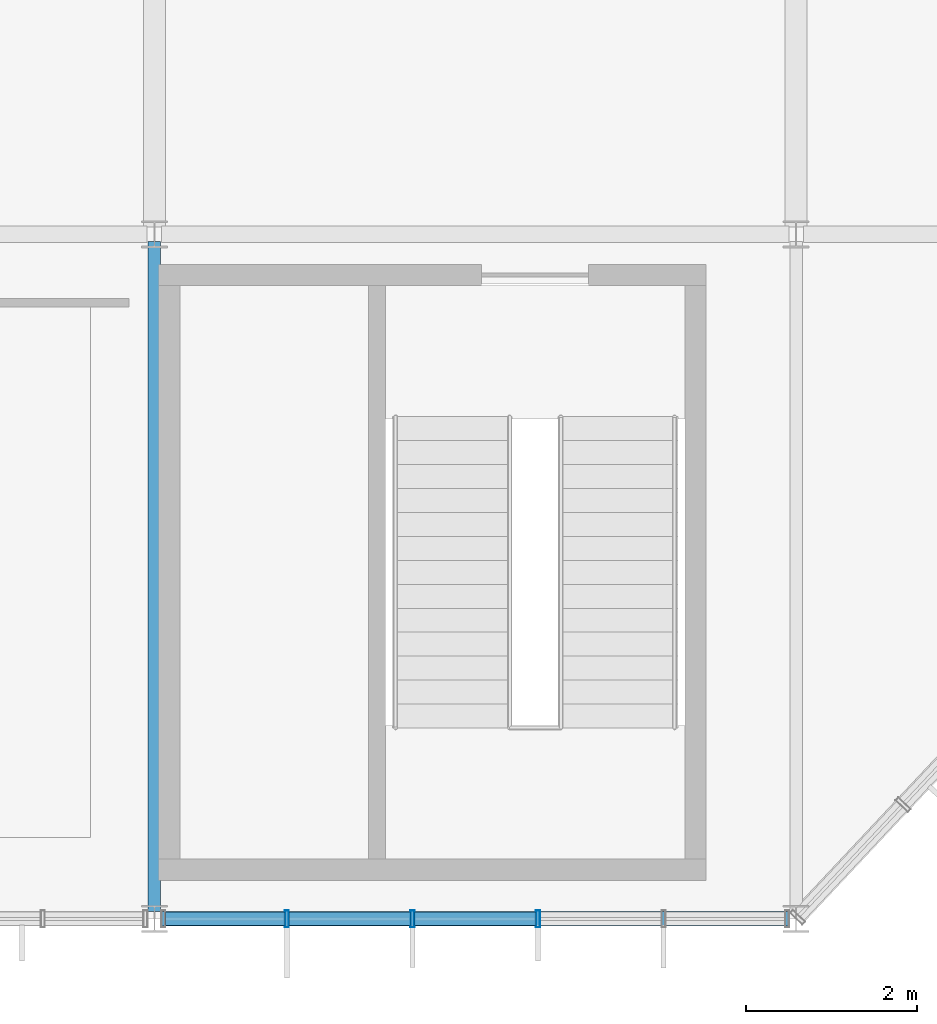
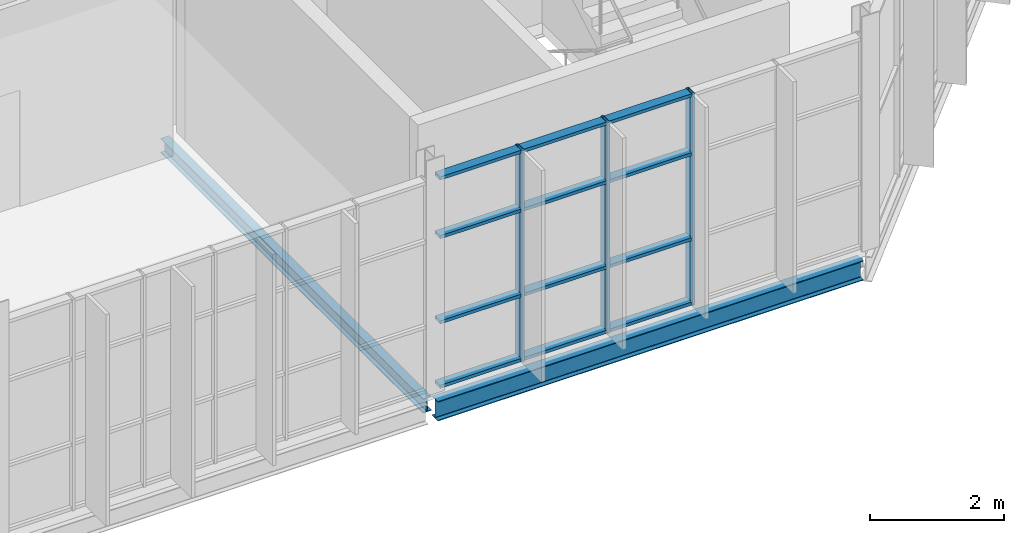
# One storey, part 58 of 324: 15 members, 2 beams, 1 element without a shape of its own.
"""IFC4 building model written with IfcOpenShell, lengths in metres."""

from ifc_helpers import new_model, si_unit, direction, frame, origin, origin_2d, place, context, subcontext, project, spatial, hollow_rectangle, i_section, extrude, material, layer, layer_set, material_profile, profile_set, type_object, element, aggregate, save


model = new_model("IFC4")

# Units and contexts
model_context = context("Model", 3, precision=1e-05, world=origin(), true_north=direction((0.0, 1.0)))
body_context = subcontext(model_context, "Body", "Model", "MODEL_VIEW")
ifc_project = project(units=[si_unit("LENGTHUNIT", "METRE"), si_unit("AREAUNIT", "SQUARE_METRE"), si_unit("VOLUMEUNIT", "CUBIC_METRE"), si_unit("PLANEANGLEUNIT", "RADIAN"), si_unit("MASSUNIT", "GRAM", prefix="KILO")], contexts=[model_context])

# Site, building, storey
site_placement = place(None, origin())
site = spatial("IfcSite", under=ifc_project, at=site_placement, CompositionType="ELEMENT")
building_placement = place(site_placement, origin())
building = spatial("IfcBuilding", under=site, at=building_placement, Name="Solvenia Promenade Tram Depot", CompositionType="ELEMENT")
storey_placement = place(building_placement, frame((0.0, 0.0, 4.5)))
storey = spatial("IfcBuildingStorey", under=building, at=storey_placement, Name="L01", CompositionType="ELEMENT", Elevation=4.5)

# Curtain wall, members
ifc_material_1 = material(Name="Anodized aluminium AW-6063 T6", Category="aluminium")
ifc_layer = layer(ifc_material_1, 0.179931640625, Name="Anodized aluminium AW-6063 T6", Category="aluminium")
ifc_layer_set = layer_set([ifc_layer], Name="Anodized aluminium AW-6063 T6")
curtain_wall_type = type_object("IfcCurtainWallType", Name="CW-Solar-1500", PredefinedType="NOTDEFINED", material=ifc_layer_set)
curtain_wall_placement = place(storey_placement, origin())
curtain_wall = element("IfcCurtainWall", 1, at=curtain_wall_placement, inside=storey, type_object=curtain_wall_type, Name="Curtain Wall CW-V4S-L01-10", PredefinedType="NOTDEFINED")
ifc_material_profile_1 = material_profile(ifc_material_1, hollow_rectangle(XDim=0.199951171875, YDim=0.048095703125, WallThickness=0.00390625, at=origin_2d()), Name="ALU-M3", Category="aluminium")
ifc_profile_set_1 = profile_set([ifc_material_profile_1], Name="Anodized aluminium AW-6063 T6")
member_type_1 = type_object("IfcMemberType", Name="CWM-Mullion-3", PredefinedType="MULLION", material=ifc_profile_set_1)
member_1_placement = place(storey_placement, frame((76.548095703125, 0.0, 0.0), z_axis=(0.0, 0.0, 1.0), x_axis=(0.0, 1.0, 0.0)))
member_1 = element("IfcMember", 2, at=member_1_placement, type_object=member_type_1, Name="CW-7 mullion 2", PredefinedType="MULLION", context=body_context, shape_type="SweptSolid", body=[
    extrude(hollow_rectangle(XDim=0.199951171875, YDim=0.048095703125, WallThickness=0.00390625, at=origin_2d()), origin(), (0.0, 0.0, 1.0), 3.85009765625),
])
member_2_placement = place(storey_placement, frame((78.01611328125, 0.0, 0.0), z_axis=(0.0, 0.0, 1.0), x_axis=(0.0, 1.0, 0.0)))
member_2 = element("IfcMember", 3, at=member_2_placement, type_object=member_type_1, Name="CW-7 mullion 3", PredefinedType="MULLION", context=body_context, shape_type="SweptSolid", body=[
    extrude(hollow_rectangle(XDim=0.199951171875, YDim=0.048095703125, WallThickness=0.00390625, at=origin_2d()), origin(), (0.0, 0.0, 1.0), 3.85009765625),
])
member_3_placement = place(storey_placement, frame((79.48388671875, 0.0, 0.0), z_axis=(0.0, 0.0, 1.0), x_axis=(0.0, 1.0, 0.0)))
member_3 = element("IfcMember", 4, at=member_3_placement, type_object=member_type_1, Name="CW-7 mullion 4", PredefinedType="MULLION", context=body_context, shape_type="SweptSolid", body=[
    extrude(hollow_rectangle(XDim=0.199951171875, YDim=0.048095703125, WallThickness=0.00390625, at=origin_2d()), origin(), (0.0, 0.0, 1.0), 3.85009765625),
])
ifc_material_profile_2 = material_profile(ifc_material_1, hollow_rectangle(XDim=0.159912109375, YDim=0.05810546875, WallThickness=0.00390625, at=origin_2d()), Name="ALU-T3", Category="aluminium")
ifc_profile_set_2 = profile_set([ifc_material_profile_2], Name="Anodized aluminium AW-6063 T6")
member_type_2 = type_object("IfcMemberType", Name="CWT-Transom-3", PredefinedType="USERDEFINED", material=ifc_profile_set_2)
member_4_placement = place(storey_placement, frame((75.1279296875, 0.0, 0.029052734375), z_axis=(1.0, 0.0, 0.0), x_axis=(0.0, 1.0, 0.0)))
member_4 = element("IfcMember", 5, at=member_4_placement, type_object=member_type_2, Name="CW-7 transom 1.1", ObjectType="TRANSOM", PredefinedType="USERDEFINED", context=body_context, shape_type="SweptSolid", body=[
    extrude(hollow_rectangle(XDim=0.159912109375, YDim=0.05810546875, WallThickness=0.00390625, at=origin_2d()), origin(), (0.0, 0.0, 1.0), 1.39599609375),
])
member_5_placement = place(storey_placement, frame((75.1279296875, 0.0, 1.199951171875), z_axis=(1.0, 0.0, 0.0), x_axis=(0.0, 1.0, 0.0)))
member_5 = element("IfcMember", 6, at=member_5_placement, type_object=member_type_2, Name="CW-7 transom 1.2", ObjectType="TRANSOM", PredefinedType="USERDEFINED", context=body_context, shape_type="SweptSolid", body=[
    extrude(hollow_rectangle(XDim=0.159912109375, YDim=0.05810546875, WallThickness=0.00390625, at=origin_2d()), origin(), (0.0, 0.0, 1.0), 1.39599609375),
])
member_6_placement = place(storey_placement, frame((75.1279296875, 0.0, 2.75), z_axis=(1.0, 0.0, 0.0), x_axis=(0.0, 1.0, 0.0)))
member_6 = element("IfcMember", 7, at=member_6_placement, type_object=member_type_2, Name="CW-7 transom 1.3", ObjectType="TRANSOM", PredefinedType="USERDEFINED", context=body_context, shape_type="SweptSolid", body=[
    extrude(hollow_rectangle(XDim=0.159912109375, YDim=0.05810546875, WallThickness=0.00390625, at=origin_2d()), origin(), (0.0, 0.0, 1.0), 1.39599609375),
])
member_7_placement = place(storey_placement, frame((75.1279296875, 0.0, 3.821044921875), z_axis=(1.0, 0.0, 0.0), x_axis=(0.0, 1.0, 0.0)))
member_7 = element("IfcMember", 8, at=member_7_placement, type_object=member_type_2, Name="CW-7 transom 1.4", ObjectType="TRANSOM", PredefinedType="USERDEFINED", context=body_context, shape_type="SweptSolid", body=[
    extrude(hollow_rectangle(XDim=0.159912109375, YDim=0.05810546875, WallThickness=0.00390625, at=origin_2d()), origin(), (0.0, 0.0, 1.0), 1.39599609375),
])
member_8_placement = place(storey_placement, frame((76.572021484375, 0.0, 0.029052734375), z_axis=(1.0, 0.0, 0.0), x_axis=(0.0, 1.0, 0.0)))
member_8 = element("IfcMember", 9, at=member_8_placement, type_object=member_type_2, Name="CW-7 transom 2.1", ObjectType="TRANSOM", PredefinedType="USERDEFINED", context=body_context, shape_type="SweptSolid", body=[
    extrude(hollow_rectangle(XDim=0.159912109375, YDim=0.05810546875, WallThickness=0.00390625, at=origin_2d()), origin(), (0.0, 0.0, 1.0), 1.419921875),
])
member_9_placement = place(storey_placement, frame((76.572021484375, 0.0, 1.199951171875), z_axis=(1.0, 0.0, 0.0), x_axis=(0.0, 1.0, 0.0)))
member_9 = element("IfcMember", 10, at=member_9_placement, type_object=member_type_2, Name="CW-7 transom 2.2", ObjectType="TRANSOM", PredefinedType="USERDEFINED", context=body_context, shape_type="SweptSolid", body=[
    extrude(hollow_rectangle(XDim=0.159912109375, YDim=0.05810546875, WallThickness=0.00390625, at=origin_2d()), origin(), (0.0, 0.0, 1.0), 1.419921875),
])
member_10_placement = place(storey_placement, frame((76.572021484375, 0.0, 2.75), z_axis=(1.0, 0.0, 0.0), x_axis=(0.0, 1.0, 0.0)))
member_10 = element("IfcMember", 11, at=member_10_placement, type_object=member_type_2, Name="CW-7 transom 2.3", ObjectType="TRANSOM", PredefinedType="USERDEFINED", context=body_context, shape_type="SweptSolid", body=[
    extrude(hollow_rectangle(XDim=0.159912109375, YDim=0.05810546875, WallThickness=0.00390625, at=origin_2d()), origin(), (0.0, 0.0, 1.0), 1.419921875),
])
member_11_placement = place(storey_placement, frame((76.572021484375, 0.0, 3.821044921875), z_axis=(1.0, 0.0, 0.0), x_axis=(0.0, 1.0, 0.0)))
member_11 = element("IfcMember", 12, at=member_11_placement, type_object=member_type_2, Name="CW-7 transom 2.4", ObjectType="TRANSOM", PredefinedType="USERDEFINED", context=body_context, shape_type="SweptSolid", body=[
    extrude(hollow_rectangle(XDim=0.159912109375, YDim=0.05810546875, WallThickness=0.00390625, at=origin_2d()), origin(), (0.0, 0.0, 1.0), 1.419921875),
])
member_12_placement = place(storey_placement, frame((78.0400390625, 0.0, 0.029052734375), z_axis=(1.0, 0.0, 0.0), x_axis=(0.0, 1.0, 0.0)))
member_12 = element("IfcMember", 13, at=member_12_placement, type_object=member_type_2, Name="CW-7 transom 3.1", ObjectType="TRANSOM", PredefinedType="USERDEFINED", context=body_context, shape_type="SweptSolid", body=[
    extrude(hollow_rectangle(XDim=0.159912109375, YDim=0.05810546875, WallThickness=0.00390625, at=origin_2d()), origin(), (0.0, 0.0, 1.0), 1.419921875),
])
member_13_placement = place(storey_placement, frame((78.0400390625, 0.0, 1.199951171875), z_axis=(1.0, 0.0, 0.0), x_axis=(0.0, 1.0, 0.0)))
member_13 = element("IfcMember", 14, at=member_13_placement, type_object=member_type_2, Name="CW-7 transom 3.2", ObjectType="TRANSOM", PredefinedType="USERDEFINED", context=body_context, shape_type="SweptSolid", body=[
    extrude(hollow_rectangle(XDim=0.159912109375, YDim=0.05810546875, WallThickness=0.00390625, at=origin_2d()), origin(), (0.0, 0.0, 1.0), 1.419921875),
])
member_14_placement = place(storey_placement, frame((78.0400390625, 0.0, 2.75), z_axis=(1.0, 0.0, 0.0), x_axis=(0.0, 1.0, 0.0)))
member_14 = element("IfcMember", 15, at=member_14_placement, type_object=member_type_2, Name="CW-7 transom 3.3", ObjectType="TRANSOM", PredefinedType="USERDEFINED", context=body_context, shape_type="SweptSolid", body=[
    extrude(hollow_rectangle(XDim=0.159912109375, YDim=0.05810546875, WallThickness=0.00390625, at=origin_2d()), origin(), (0.0, 0.0, 1.0), 1.419921875),
])
member_15_placement = place(storey_placement, frame((78.0400390625, 0.0, 3.821044921875), z_axis=(1.0, 0.0, 0.0), x_axis=(0.0, 1.0, 0.0)))
member_15 = element("IfcMember", 16, at=member_15_placement, type_object=member_type_2, Name="CW-7 transom 3.4", ObjectType="TRANSOM", PredefinedType="USERDEFINED", context=body_context, shape_type="SweptSolid", body=[
    extrude(hollow_rectangle(XDim=0.159912109375, YDim=0.05810546875, WallThickness=0.00390625, at=origin_2d()), origin(), (0.0, 0.0, 1.0), 1.419921875),
])
aggregate(curtain_wall, [member_1, member_2, member_3, member_4, member_5, member_6, member_7, member_8, member_9, member_10, member_11, member_12, member_13, member_14, member_15])

# Beams
ifc_material_2 = material(Name="Structural steel ASTM A992 Gr. 50", Category="steel")
ifc_material_profile_3 = material_profile(ifc_material_2, i_section(OverallWidth=0.14697265625, OverallDepth=0.261962890625, WebThickness=0.006591796875, FlangeThickness=0.01123046875, FilletRadius=0.010009765625, at=origin_2d()), Name="W250x39", Category="steel")
ifc_profile_set_3 = profile_set([ifc_material_profile_3], Name="Structural steel ASTM A992 Gr. 50")
beam_type_1 = type_object("IfcBeamType", Name="Joist-W250x39", PredefinedType="JOIST", material=ifc_profile_set_3)
beam_1_placement = place(storey_placement, frame((75.0, 0.0849609375, -0.35107421875), z_axis=(0.0, 1.0, 0.0), x_axis=(-1.0, 0.0, 0.0)))
element("IfcBeam", 17, at=beam_1_placement, inside=storey, type_object=beam_type_1, Name="Transverse Girder BM-L01-0349", PredefinedType="JOIST", context=body_context, shape_type="SweptSolid", body=[
    extrude(i_section(OverallWidth=0.14697265625, OverallDepth=0.261962890625, WebThickness=0.006591796875, FlangeThickness=0.01123046875, FilletRadius=0.010009765625, at=origin_2d()), origin(), (0.0, 0.0, 1.0), 7.830078125),
])
ifc_material_profile_4 = material_profile(ifc_material_2, i_section(OverallWidth=0.172119140625, OverallDepth=0.35791015625, WebThickness=0.0078125, FlangeThickness=0.01318359375, FilletRadius=0.010986328125, at=origin_2d()), Name="W360x57", Category="steel")
ifc_profile_set_4 = profile_set([ifc_material_profile_4], Name="Structural steel ASTM A992 Gr. 50")
beam_type_2 = type_object("IfcBeamType", Name="Spandrel-W360x57", PredefinedType="SPANDREL", material=ifc_profile_set_4)
beam_2_placement = place(storey_placement, frame((75.0849609375, 0.0, -0.39892578125), z_axis=(1.0, 0.0, 0.0), x_axis=(0.0, 1.0, 0.0)))
element("IfcBeam", 18, at=beam_2_placement, inside=storey, type_object=beam_type_2, Name="Perimeter Spandrel BM-L01-0311", PredefinedType="SPANDREL", context=body_context, shape_type="SweptSolid", body=[
    extrude(i_section(OverallWidth=0.172119140625, OverallDepth=0.35791015625, WebThickness=0.0078125, FlangeThickness=0.01318359375, FilletRadius=0.010986328125, at=origin_2d()), origin(), (0.0, 0.0, 1.0), 7.330078125),
])

save(model, "model.ifc")
